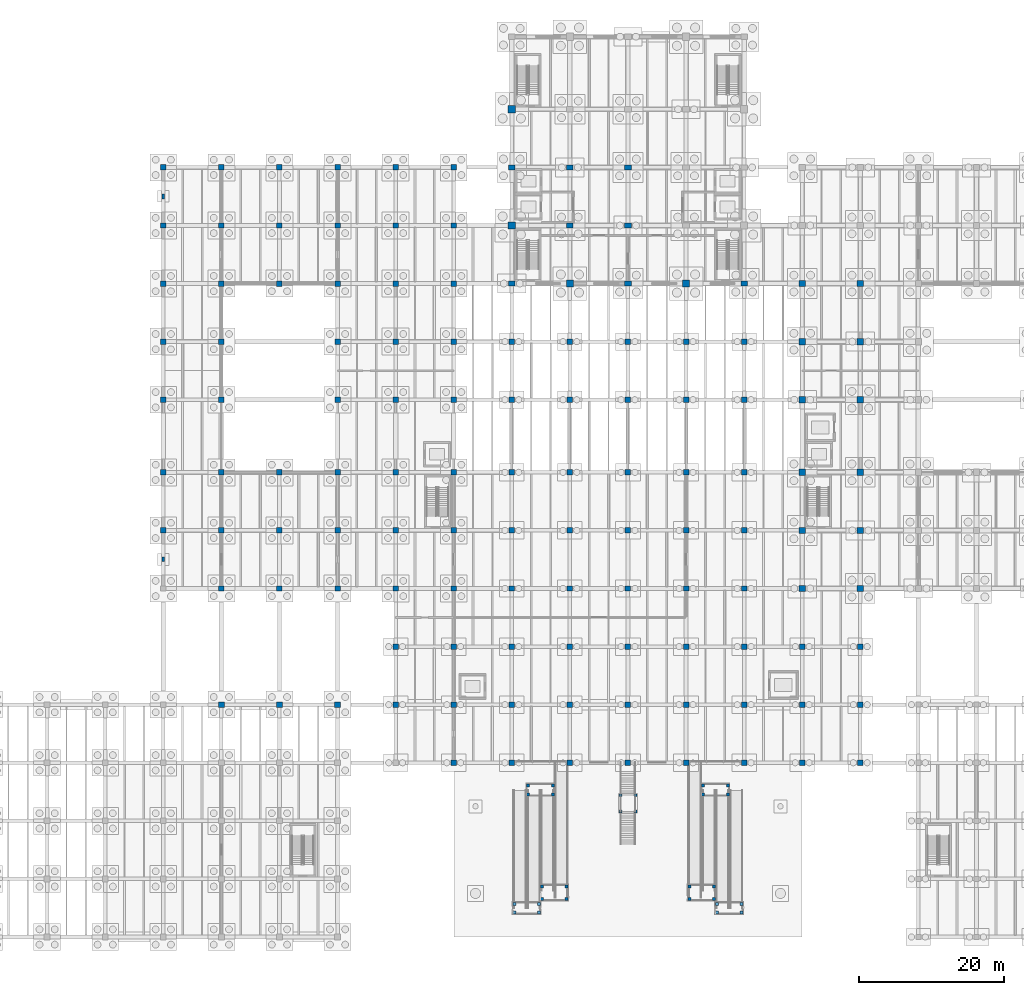
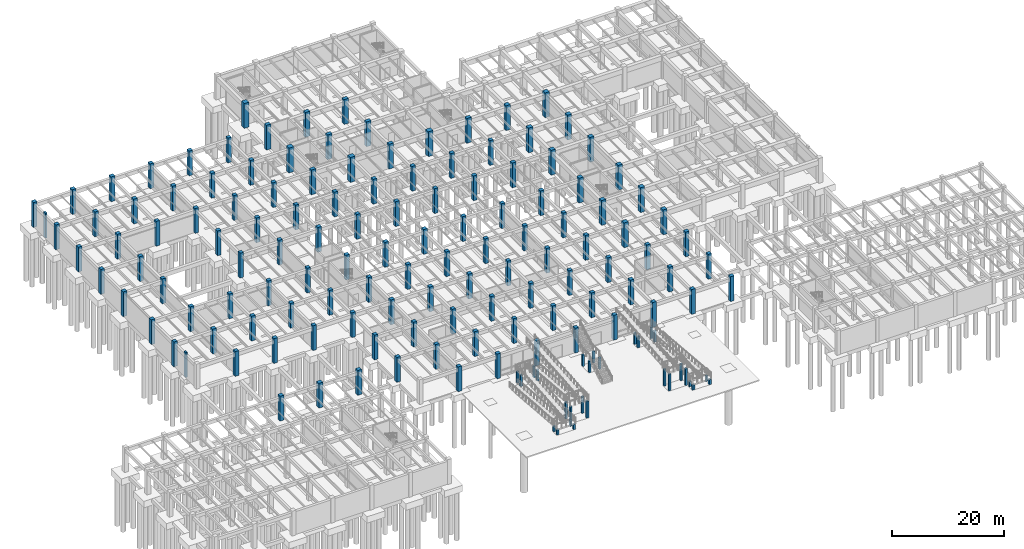
# One storey, part 10 of 44: 153 columns.
"""IFC4 building model written with IfcOpenShell, lengths in metres."""

from ifc_helpers import new_model, si_unit, direction, frame, origin, origin_2d, place, context, subcontext, project, spatial, rectangle, extrude, material, material_profile, profile_set, type_object, element, save


model = new_model("IFC4")

# Units and contexts
model_context = context("Model", 3, precision=1e-05, world=origin(), true_north=direction((0.0, 1.0)))
body_context = subcontext(model_context, "Body", "Model", "MODEL_VIEW")
ifc_project = project(units=[si_unit("LENGTHUNIT", "METRE"), si_unit("AREAUNIT", "SQUARE_METRE"), si_unit("VOLUMEUNIT", "CUBIC_METRE"), si_unit("PLANEANGLEUNIT", "RADIAN"), si_unit("MASSUNIT", "GRAM", prefix="KILO")], contexts=[model_context])

# Site, building, storey
site_placement = place(None, origin())
site = spatial("IfcSite", under=ifc_project, at=site_placement, CompositionType="ELEMENT")
building_placement = place(site_placement, origin())
building = spatial("IfcBuilding", under=site, at=building_placement, Name="Pecanmere Concourse Central Library", CompositionType="ELEMENT")
storey_placement = place(building_placement, frame((0.0, 0.0, -5.39990234375)))
storey = spatial("IfcBuildingStorey", under=building, at=storey_placement, Name="B1", CompositionType="ELEMENT", Elevation=-5.39990234375)

# Columns
ifc_material_1 = material(Name="Concrete C40/50", Category="concrete")
ifc_material_profile_1 = material_profile(ifc_material_1, rectangle(XDim=0.39990234375, YDim=0.39990234375, at=origin_2d()), Name="RC 400x400")
ifc_profile_set_1 = profile_set([ifc_material_profile_1], Name="Concrete C40/50")
column_type_1 = type_object("IfcColumnType", Name="COL_RC_400x400", PredefinedType="COLUMN", material=ifc_profile_set_1)
for number, where, z_axis, x_axis, name in (
    (1, (89.050048828125, 17.280029296875, 0.0), (0.0, 0.0, 1.0), (1.0, 0.0, 0.0), "ST-M1 Landing Column 1"),
    (2, (89.050048828125, 19.530029296875, 0.0), (0.0, 0.0, 1.0), (1.0, 0.0, 0.0), "ST-M1 Landing Column 2"),
    (3, (86.949951171875, 19.530029296875, 0.0), (0.0, 0.0, 1.0), (1.0, 0.0, 0.0), "ST-M1 Landing Column 3"),
    (4, (86.949951171875, 17.280029296875, 0.0), (0.0, 0.0, 1.0), (1.0, 0.0, 0.0), "ST-M1 Landing Column 4"),
):
    element("IfcColumn", number, at=place(storey_placement, frame(where, z_axis=z_axis, x_axis=x_axis)), inside=storey, type_object=column_type_1, Name=name, PredefinedType="COLUMN", context=body_context, shape_type="SweptSolid", body=[
        extrude(rectangle(XDim=0.39990234375, YDim=0.39990234375, at=origin_2d()), origin(), (0.0, 0.0, 1.0), 2.4599609375),
    ])
for number, where, z_axis, x_axis, name in (
    (5, (72.35009765625, 3.35009765625, 0.0), (0.0, 0.0, 1.0), (1.0, 0.0, 0.0), "RMP_LND_WS1 Support Column 1"),
    (6, (72.35009765625, 4.550048828125, 0.0), (0.0, 0.0, 1.0), (1.0, 0.0, 0.0), "RMP_LND_WS1 Support Column 2"),
    (7, (75.75, 3.35009765625, 0.0), (0.0, 0.0, 1.0), (1.0, 0.0, 0.0), "RMP_LND_WS1 Support Column 3"),
    (8, (75.75, 4.550048828125, 0.0), (0.0, 0.0, 1.0), (1.0, 0.0, 0.0), "RMP_LND_WS1 Support Column 4"),
):
    element("IfcColumn", number, at=place(storey_placement, frame(where, z_axis=z_axis, x_axis=x_axis)), inside=storey, type_object=column_type_1, Name=name, PredefinedType="COLUMN", context=body_context, shape_type="SweptSolid", body=[
        extrude(rectangle(XDim=0.39990234375, YDim=0.39990234375, at=origin_2d()), origin(), (0.0, 0.0, 1.0), 1.10986328125),
    ])
for number, where, z_axis, x_axis, name in (
    (9, (74.25, 19.64990234375, 0.0), (0.0, 0.0, 1.0), (1.0, 0.0, 0.0), "RMP_LND_WN1 Support Column 1"),
    (10, (74.25, 20.85009765625, 0.0), (0.0, 0.0, 1.0), (1.0, 0.0, 0.0), "RMP_LND_WN1 Support Column 2"),
    (11, (77.64990234375, 19.64990234375, 0.0), (0.0, 0.0, 1.0), (1.0, 0.0, 0.0), "RMP_LND_WN1 Support Column 3"),
    (12, (77.64990234375, 20.85009765625, 0.0), (0.0, 0.0, 1.0), (1.0, 0.0, 0.0), "RMP_LND_WN1 Support Column 4"),
):
    element("IfcColumn", number, at=place(storey_placement, frame(where, z_axis=z_axis, x_axis=x_axis)), inside=storey, type_object=column_type_1, Name=name, PredefinedType="COLUMN", context=body_context, shape_type="SweptSolid", body=[
        extrude(rectangle(XDim=0.39990234375, YDim=0.39990234375, at=origin_2d()), origin(), (0.0, 0.0, 1.0), 2.4599609375),
    ])
for number, where, z_axis, x_axis, name in (
    (13, (76.14990234375, 5.25, 0.0), (0.0, 0.0, 1.0), (1.0, 0.0, 0.0), "RMP_LND_WS2 Support Column 1"),
    (14, (76.14990234375, 6.949951171875, 0.0), (0.0, 0.0, 1.0), (1.0, 0.0, 0.0), "RMP_LND_WS2 Support Column 2"),
    (15, (79.550048828125, 5.25, 0.0), (0.0, 0.0, 1.0), (1.0, 0.0, 0.0), "RMP_LND_WS2 Support Column 3"),
    (16, (79.550048828125, 6.949951171875, 0.0), (0.0, 0.0, 1.0), (1.0, 0.0, 0.0), "RMP_LND_WS2 Support Column 4"),
):
    element("IfcColumn", number, at=place(storey_placement, frame(where, z_axis=z_axis, x_axis=x_axis)), inside=storey, type_object=column_type_1, Name=name, PredefinedType="COLUMN", context=body_context, shape_type="SweptSolid", body=[
        extrude(rectangle(XDim=0.39990234375, YDim=0.39990234375, at=origin_2d()), origin(), (0.0, 0.0, 1.0), 3.60986328125),
    ])
for number, where, z_axis, x_axis, name in (
    (17, (100.25, 3.35009765625, 0.0), (0.0, 0.0, 1.0), (1.0, 0.0, 0.0), "RMP_LND_ES1 Support Column 1"),
    (18, (100.25, 4.550048828125, 0.0), (0.0, 0.0, 1.0), (1.0, 0.0, 0.0), "RMP_LND_ES1 Support Column 2"),
    (19, (103.64990234375, 3.35009765625, 0.0), (0.0, 0.0, 1.0), (1.0, 0.0, 0.0), "RMP_LND_ES1 Support Column 3"),
    (20, (103.64990234375, 4.550048828125, 0.0), (0.0, 0.0, 1.0), (1.0, 0.0, 0.0), "RMP_LND_ES1 Support Column 4"),
):
    element("IfcColumn", number, at=place(storey_placement, frame(where, z_axis=z_axis, x_axis=x_axis)), inside=storey, type_object=column_type_1, Name=name, PredefinedType="COLUMN", context=body_context, shape_type="SweptSolid", body=[
        extrude(rectangle(XDim=0.39990234375, YDim=0.39990234375, at=origin_2d()), origin(), (0.0, 0.0, 1.0), 1.10986328125),
    ])
for number, where, z_axis, x_axis, name in (
    (21, (98.35009765625, 19.64990234375, 0.0), (0.0, 0.0, 1.0), (1.0, 0.0, 0.0), "RMP_LND_EN1 Support Column 1"),
    (22, (98.35009765625, 20.85009765625, 0.0), (0.0, 0.0, 1.0), (1.0, 0.0, 0.0), "RMP_LND_EN1 Support Column 2"),
    (23, (101.75, 19.64990234375, 0.0), (0.0, 0.0, 1.0), (1.0, 0.0, 0.0), "RMP_LND_EN1 Support Column 3"),
    (24, (101.75, 20.85009765625, 0.0), (0.0, 0.0, 1.0), (1.0, 0.0, 0.0), "RMP_LND_EN1 Support Column 4"),
):
    element("IfcColumn", number, at=place(storey_placement, frame(where, z_axis=z_axis, x_axis=x_axis)), inside=storey, type_object=column_type_1, Name=name, PredefinedType="COLUMN", context=body_context, shape_type="SweptSolid", body=[
        extrude(rectangle(XDim=0.39990234375, YDim=0.39990234375, at=origin_2d()), origin(), (0.0, 0.0, 1.0), 2.4599609375),
    ])
for number, where, z_axis, x_axis, name in (
    (25, (96.449951171875, 5.25, 0.0), (0.0, 0.0, 1.0), (1.0, 0.0, 0.0), "RMP_LND_ES2 Support Column 1"),
    (26, (96.449951171875, 6.949951171875, 0.0), (0.0, 0.0, 1.0), (1.0, 0.0, 0.0), "RMP_LND_ES2 Support Column 2"),
    (27, (99.85009765625, 5.25, 0.0), (0.0, 0.0, 1.0), (1.0, 0.0, 0.0), "RMP_LND_ES2 Support Column 3"),
    (28, (99.85009765625, 6.949951171875, 0.0), (0.0, 0.0, 1.0), (1.0, 0.0, 0.0), "RMP_LND_ES2 Support Column 4"),
):
    element("IfcColumn", number, at=place(storey_placement, frame(where, z_axis=z_axis, x_axis=x_axis)), inside=storey, type_object=column_type_1, Name=name, PredefinedType="COLUMN", context=body_context, shape_type="SweptSolid", body=[
        extrude(rectangle(XDim=0.39990234375, YDim=0.39990234375, at=origin_2d()), origin(), (0.0, 0.0, 1.0), 3.60986328125),
    ])
ifc_material_2 = material(Name="Concrete C40/50", Category="concrete")
ifc_material_profile_2 = material_profile(ifc_material_2, rectangle(XDim=0.75, YDim=0.75, at=origin_2d()), Name="RC 750x750")
ifc_profile_set_2 = profile_set([ifc_material_profile_2], Name="Concrete C40/50")
column_type_2 = type_object("IfcColumnType", Name="COL_RC_750x750", PredefinedType="COLUMN", material=ifc_profile_set_2)
for number, where, z_axis, x_axis, name in (
    (29, (24.0, 56.0, 0.0), (0.0, 0.0, 1.0), (1.0, 0.0, 0.0), "Column C-05 B1-022"),
    (30, (24.0, 64.0, 0.0), (0.0, 0.0, 1.0), (1.0, 0.0, 0.0), "Column C-05 B1-023"),
    (31, (24.0, 74.0, 0.0), (0.0, 0.0, 1.0), (1.0, 0.0, 0.0), "Column C-05 B1-024"),
    (32, (24.0, 82.0, 0.0), (0.0, 0.0, 1.0), (1.0, 0.0, 0.0), "Column C-05 B1-025"),
    (33, (24.0, 90.0, 0.0), (0.0, 0.0, 1.0), (1.0, 0.0, 0.0), "Column C-05 B1-026"),
    (34, (24.0, 98.0, 0.0), (0.0, 0.0, 1.0), (1.0, 0.0, 0.0), "Column C-05 B1-027"),
    (35, (24.0, 106.0, 0.0), (0.0, 0.0, 1.0), (1.0, 0.0, 0.0), "Column C-05 B1-028"),
    (36, (32.0, 48.0, 0.0), (0.0, 0.0, 1.0), (1.0, 0.0, 0.0), "Column C-05 B1-034"),
    (37, (32.0, 56.0, 0.0), (0.0, 0.0, 1.0), (1.0, 0.0, 0.0), "Column C-05 B1-035"),
    (38, (32.0, 64.0, 0.0), (0.0, 0.0, 1.0), (1.0, 0.0, 0.0), "Column C-05 B1-036"),
    (39, (32.0, 74.0, 0.0), (0.0, 0.0, 1.0), (1.0, 0.0, 0.0), "Column C-05 B1-037"),
    (40, (32.0, 82.0, 0.0), (0.0, 0.0, 1.0), (1.0, 0.0, 0.0), "Column C-05 B1-038"),
    (41, (32.0, 90.0, 0.0), (0.0, 0.0, 1.0), (1.0, 0.0, 0.0), "Column C-05 B1-039"),
    (42, (32.0, 98.0, 0.0), (0.0, 0.0, 1.0), (1.0, 0.0, 0.0), "Column C-05 B1-040"),
    (43, (32.0, 106.0, 0.0), (0.0, 0.0, 1.0), (1.0, 0.0, 0.0), "Column C-05 B1-041"),
    (44, (40.0, 48.0, 0.0), (0.0, 0.0, 1.0), (1.0, 0.0, 0.0), "Column C-05 B1-047"),
    (45, (40.0, 56.0, 0.0), (0.0, 0.0, 1.0), (1.0, 0.0, 0.0), "Column C-05 B1-048"),
    (46, (40.0, 64.0, 0.0), (0.0, 0.0, 1.0), (1.0, 0.0, 0.0), "Column C-05 B1-049"),
    (47, (40.0, 90.0, 0.0), (0.0, 0.0, 1.0), (1.0, 0.0, 0.0), "Column C-05 B1-050"),
    (48, (40.0, 98.0, 0.0), (0.0, 0.0, 1.0), (1.0, 0.0, 0.0), "Column C-05 B1-051"),
    (49, (40.0, 106.0, 0.0), (0.0, 0.0, 1.0), (1.0, 0.0, 0.0), "Column C-05 B1-052"),
    (50, (48.0, 48.0, 0.0), (0.0, 0.0, 1.0), (1.0, 0.0, 0.0), "Column C-05 B1-058"),
    (51, (48.0, 56.0, 0.0), (0.0, 0.0, 1.0), (1.0, 0.0, 0.0), "Column C-05 B1-059"),
    (52, (48.0, 64.0, 0.0), (0.0, 0.0, 1.0), (1.0, 0.0, 0.0), "Column C-05 B1-060"),
    (53, (48.0, 74.0, 0.0), (0.0, 0.0, 1.0), (1.0, 0.0, 0.0), "Column C-05 B1-061"),
    (54, (48.0, 82.0, 0.0), (0.0, 0.0, 1.0), (1.0, 0.0, 0.0), "Column C-05 B1-062"),
    (55, (48.0, 90.0, 0.0), (0.0, 0.0, 1.0), (1.0, 0.0, 0.0), "Column C-05 B1-063"),
    (56, (48.0, 98.0, 0.0), (0.0, 0.0, 1.0), (1.0, 0.0, 0.0), "Column C-05 B1-064"),
    (57, (48.0, 106.0, 0.0), (0.0, 0.0, 1.0), (1.0, 0.0, 0.0), "Column C-05 B1-065"),
    (58, (56.0, 32.0, 0.0), (0.0, 0.0, 1.0), (1.0, 0.0, 0.0), "Column C-05 B1-067"),
    (59, (56.0, 40.0, 0.0), (0.0, 0.0, 1.0), (1.0, 0.0, 0.0), "Column C-05 B1-068"),
    (60, (56.0, 48.0, 0.0), (0.0, 0.0, 1.0), (1.0, 0.0, 0.0), "Column C-05 B1-069"),
    (61, (56.0, 56.0, 0.0), (0.0, 0.0, 1.0), (1.0, 0.0, 0.0), "Column C-05 B1-070"),
    (62, (56.0, 64.0, 0.0), (0.0, 0.0, 1.0), (1.0, 0.0, 0.0), "Column C-05 B1-071"),
    (63, (56.0, 74.0, 0.0), (0.0, 0.0, 1.0), (1.0, 0.0, 0.0), "Column C-05 B1-072"),
    (64, (56.0, 82.0, 0.0), (0.0, 0.0, 1.0), (1.0, 0.0, 0.0), "Column C-05 B1-073"),
    (65, (56.0, 90.0, 0.0), (0.0, 0.0, 1.0), (1.0, 0.0, 0.0), "Column C-05 B1-074"),
    (66, (56.0, 98.0, 0.0), (0.0, 0.0, 1.0), (1.0, 0.0, 0.0), "Column C-05 B1-075"),
    (67, (56.0, 106.0, 0.0), (0.0, 0.0, 1.0), (1.0, 0.0, 0.0), "Column C-05 B1-076"),
    (68, (64.0, 24.0, 0.0), (0.0, 0.0, 1.0), (1.0, 0.0, 0.0), "Column C-05 B1-077"),
    (69, (64.0, 32.0, 0.0), (0.0, 0.0, 1.0), (1.0, 0.0, 0.0), "Column C-05 B1-078"),
    (70, (64.0, 40.0, 0.0), (0.0, 0.0, 1.0), (1.0, 0.0, 0.0), "Column C-05 B1-079"),
    (71, (64.0, 48.0, 0.0), (0.0, 0.0, 1.0), (1.0, 0.0, 0.0), "Column C-05 B1-080"),
    (72, (64.0, 56.0, 0.0), (0.0, 0.0, 1.0), (1.0, 0.0, 0.0), "Column C-05 B1-081"),
    (73, (64.0, 64.0, 0.0), (0.0, 0.0, 1.0), (1.0, 0.0, 0.0), "Column C-05 B1-082"),
    (74, (64.0, 74.0, 0.0), (0.0, 0.0, 1.0), (1.0, 0.0, 0.0), "Column C-05 B1-083"),
    (75, (64.0, 82.0, 0.0), (0.0, 0.0, 1.0), (1.0, 0.0, 0.0), "Column C-05 B1-084"),
    (76, (64.0, 90.0, 0.0), (0.0, 0.0, 1.0), (1.0, 0.0, 0.0), "Column C-05 B1-085"),
    (77, (64.0, 98.0, 0.0), (0.0, 0.0, 1.0), (1.0, 0.0, 0.0), "Column C-05 B1-086"),
    (78, (64.0, 106.0, 0.0), (0.0, 0.0, 1.0), (1.0, 0.0, 0.0), "Column C-05 B1-087"),
    (79, (72.0, 24.0, 0.0), (0.0, 0.0, 1.0), (1.0, 0.0, 0.0), "Column C-05 B1-088"),
    (80, (72.0, 32.0, 0.0), (0.0, 0.0, 1.0), (1.0, 0.0, 0.0), "Column C-05 B1-089"),
    (81, (72.0, 40.0, 0.0), (0.0, 0.0, 1.0), (1.0, 0.0, 0.0), "Column C-05 B1-090"),
    (82, (72.0, 48.0, 0.0), (0.0, 0.0, 1.0), (1.0, 0.0, 0.0), "Column C-05 B1-091"),
    (83, (72.0, 56.0, 0.0), (0.0, 0.0, 1.0), (1.0, 0.0, 0.0), "Column C-05 B1-092"),
    (84, (72.0, 64.0, 0.0), (0.0, 0.0, 1.0), (1.0, 0.0, 0.0), "Column C-05 B1-093"),
    (85, (72.0, 74.0, 0.0), (0.0, 0.0, 1.0), (1.0, 0.0, 0.0), "Column C-05 B1-094"),
    (86, (72.0, 82.0, 0.0), (0.0, 0.0, 1.0), (1.0, 0.0, 0.0), "Column C-05 B1-095"),
    (87, (80.0, 24.0, 0.0), (0.0, 0.0, 1.0), (1.0, 0.0, 0.0), "Column C-05 B1-101"),
    (88, (80.0, 32.0, 0.0), (0.0, 0.0, 1.0), (1.0, 0.0, 0.0), "Column C-05 B1-102"),
    (89, (80.0, 40.0, 0.0), (0.0, 0.0, 1.0), (1.0, 0.0, 0.0), "Column C-05 B1-103"),
    (90, (80.0, 48.0, 0.0), (0.0, 0.0, 1.0), (1.0, 0.0, 0.0), "Column C-05 B1-104"),
    (91, (80.0, 56.0, 0.0), (0.0, 0.0, 1.0), (1.0, 0.0, 0.0), "Column C-05 B1-105"),
    (92, (80.0, 64.0, 0.0), (0.0, 0.0, 1.0), (1.0, 0.0, 0.0), "Column C-05 B1-106"),
    (93, (80.0, 74.0, 0.0), (0.0, 0.0, 1.0), (1.0, 0.0, 0.0), "Column C-05 B1-107"),
    (94, (80.0, 82.0, 0.0), (0.0, 0.0, 1.0), (1.0, 0.0, 0.0), "Column C-05 B1-108"),
    (95, (88.0, 24.0, 0.0), (0.0, 0.0, 1.0), (1.0, 0.0, 0.0), "Column C-05 B1-114"),
    (96, (88.0, 32.0, 0.0), (0.0, 0.0, 1.0), (1.0, 0.0, 0.0), "Column C-05 B1-115"),
    (97, (88.0, 40.0, 0.0), (0.0, 0.0, 1.0), (1.0, 0.0, 0.0), "Column C-05 B1-116"),
    (98, (88.0, 48.0, 0.0), (0.0, 0.0, 1.0), (1.0, 0.0, 0.0), "Column C-05 B1-117"),
    (99, (88.0, 56.0, 0.0), (0.0, 0.0, 1.0), (1.0, 0.0, 0.0), "Column C-05 B1-118"),
    (100, (88.0, 64.0, 0.0), (0.0, 0.0, 1.0), (1.0, 0.0, 0.0), "Column C-05 B1-119"),
    (101, (88.0, 74.0, 0.0), (0.0, 0.0, 1.0), (1.0, 0.0, 0.0), "Column C-05 B1-120"),
    (102, (88.0, 82.0, 0.0), (0.0, 0.0, 1.0), (1.0, 0.0, 0.0), "Column C-05 B1-121"),
    (103, (96.0, 24.0, 0.0), (0.0, 0.0, 1.0), (1.0, 0.0, 0.0), "Column C-05 B1-127"),
    (104, (96.0, 32.0, 0.0), (0.0, 0.0, 1.0), (1.0, 0.0, 0.0), "Column C-05 B1-128"),
    (105, (96.0, 40.0, 0.0), (0.0, 0.0, 1.0), (1.0, 0.0, 0.0), "Column C-05 B1-129"),
    (106, (96.0, 48.0, 0.0), (0.0, 0.0, 1.0), (1.0, 0.0, 0.0), "Column C-05 B1-130"),
    (107, (96.0, 56.0, 0.0), (0.0, 0.0, 1.0), (1.0, 0.0, 0.0), "Column C-05 B1-131"),
    (108, (96.0, 64.0, 0.0), (0.0, 0.0, 1.0), (1.0, 0.0, 0.0), "Column C-05 B1-132"),
    (109, (96.0, 74.0, 0.0), (0.0, 0.0, 1.0), (1.0, 0.0, 0.0), "Column C-05 B1-133"),
    (110, (96.0, 82.0, 0.0), (0.0, 0.0, 1.0), (1.0, 0.0, 0.0), "Column C-05 B1-134"),
    (111, (104.0, 24.0, 0.0), (0.0, 0.0, 1.0), (1.0, 0.0, 0.0), "Column C-05 B1-140"),
    (112, (104.0, 32.0, 0.0), (0.0, 0.0, 1.0), (1.0, 0.0, 0.0), "Column C-05 B1-141"),
    (113, (104.0, 40.0, 0.0), (0.0, 0.0, 1.0), (1.0, 0.0, 0.0), "Column C-05 B1-142"),
    (114, (104.0, 48.0, 0.0), (0.0, 0.0, 1.0), (1.0, 0.0, 0.0), "Column C-05 B1-143"),
    (115, (104.0, 56.0, 0.0), (0.0, 0.0, 1.0), (1.0, 0.0, 0.0), "Column C-05 B1-144"),
    (116, (104.0, 64.0, 0.0), (0.0, 0.0, 1.0), (1.0, 0.0, 0.0), "Column C-05 B1-145"),
    (117, (104.0, 74.0, 0.0), (0.0, 0.0, 1.0), (1.0, 0.0, 0.0), "Column C-05 B1-146"),
    (118, (104.0, 82.0, 0.0), (0.0, 0.0, 1.0), (1.0, 0.0, 0.0), "Column C-05 B1-147"),
    (119, (112.0, 24.0, 0.0), (0.0, 0.0, 1.0), (1.0, 0.0, 0.0), "Column C-05 B1-153"),
    (120, (112.0, 32.0, 0.0), (0.0, 0.0, 1.0), (1.0, 0.0, 0.0), "Column C-05 B1-154"),
    (121, (112.0, 40.0, 0.0), (0.0, 0.0, 1.0), (1.0, 0.0, 0.0), "Column C-05 B1-155"),
    (122, (120.0, 24.0, 0.0), (0.0, 0.0, 1.0), (1.0, 0.0, 0.0), "Column C-05 B1-164"),
    (123, (120.0, 32.0, 0.0), (0.0, 0.0, 1.0), (1.0, 0.0, 0.0), "Column C-05 B1-165"),
    (124, (120.0, 40.0, 0.0), (0.0, 0.0, 1.0), (1.0, 0.0, 0.0), "Column C-05 B1-166"),
):
    element("IfcColumn", number, at=place(storey_placement, frame(where, z_axis=z_axis, x_axis=x_axis)), inside=storey, type_object=column_type_2, Name=name, PredefinedType="COLUMN", context=body_context, shape_type="SweptSolid", body=[
        extrude(rectangle(XDim=0.75, YDim=0.75, at=origin_2d()), origin(), (0.0, 0.0, 1.0), 5.39990234375),
    ])
ifc_material_3 = material(Name="Concrete C40/50", Category="concrete")
ifc_material_profile_3 = material_profile(ifc_material_3, rectangle(XDim=0.800048828125, YDim=0.800048828125, at=origin_2d()), Name="RC 800x800")
ifc_profile_set_3 = profile_set([ifc_material_profile_3], Name="Concrete C40/50")
column_type_3 = type_object("IfcColumnType", Name="COL_RC_800x800", PredefinedType="COLUMN", material=ifc_profile_set_3)
for number, where, z_axis, x_axis, name in (
    (125, (32.0, 32.0, 0.0), (0.0, 0.0, 1.0), (1.0, 0.0, 0.0), "Column C-04 B1-033"),
    (126, (40.0, 32.0, 0.0), (0.0, 0.0, 1.0), (1.0, 0.0, 0.0), "Column C-04 B1-046"),
    (127, (48.0, 32.0, 0.0), (0.0, 0.0, 1.0), (1.0, 0.0, 0.0), "Column C-04 B1-057"),
):
    element("IfcColumn", number, at=place(storey_placement, frame(where, z_axis=z_axis, x_axis=x_axis)), inside=storey, type_object=column_type_3, Name=name, PredefinedType="COLUMN", context=body_context, shape_type="SweptSolid", body=[
        extrude(rectangle(XDim=0.800048828125, YDim=0.800048828125, at=origin_2d()), origin(), (0.0, 0.0, 1.0), 5.39990234375),
    ])
ifc_material_4 = material(Name="Concrete C40/50", Category="concrete")
ifc_material_profile_4 = material_profile(ifc_material_4, rectangle(XDim=0.860107421875, YDim=0.860107421875, at=origin_2d()), Name="RC 860x860")
ifc_profile_set_4 = profile_set([ifc_material_profile_4], Name="Concrete C40/50")
column_type_4 = type_object("IfcColumnType", Name="COL_RC_860x860", PredefinedType="COLUMN", material=ifc_profile_set_4)
for number, where, z_axis, x_axis, name in (
    (128, (112.0, 48.0, 0.0), (0.0, 0.0, 1.0), (1.0, 0.0, 0.0), "Column C-03 B1-156"),
    (129, (112.0, 56.0, 0.0), (0.0, 0.0, 1.0), (1.0, 0.0, 0.0), "Column C-03 B1-157"),
    (130, (112.0, 64.0, 0.0), (0.0, 0.0, 1.0), (1.0, 0.0, 0.0), "Column C-03 B1-158"),
    (131, (112.0, 74.0, 0.0), (0.0, 0.0, 1.0), (1.0, 0.0, 0.0), "Column C-03 B1-159"),
    (132, (112.0, 82.0, 0.0), (0.0, 0.0, 1.0), (1.0, 0.0, 0.0), "Column C-03 B1-160"),
    (133, (112.0, 90.0, 0.0), (0.0, 0.0, 1.0), (1.0, 0.0, 0.0), "Column C-03 B1-161"),
    (134, (120.0, 48.0, 0.0), (0.0, 0.0, 1.0), (1.0, 0.0, 0.0), "Column C-03 B1-167"),
    (135, (120.0, 56.0, 0.0), (0.0, 0.0, 1.0), (1.0, 0.0, 0.0), "Column C-03 B1-168"),
    (136, (120.0, 64.0, 0.0), (0.0, 0.0, 1.0), (1.0, 0.0, 0.0), "Column C-03 B1-169"),
    (137, (120.0, 74.0, 0.0), (0.0, 0.0, 1.0), (1.0, 0.0, 0.0), "Column C-03 B1-170"),
    (138, (120.0, 82.0, 0.0), (0.0, 0.0, 1.0), (1.0, 0.0, 0.0), "Column C-03 B1-171"),
    (139, (120.0, 90.0, 0.0), (0.0, 0.0, 1.0), (1.0, 0.0, 0.0), "Column C-03 B1-172"),
):
    element("IfcColumn", number, at=place(storey_placement, frame(where, z_axis=z_axis, x_axis=x_axis)), inside=storey, type_object=column_type_4, Name=name, PredefinedType="COLUMN", context=body_context, shape_type="SweptSolid", body=[
        extrude(rectangle(XDim=0.860107421875, YDim=0.860107421875, at=origin_2d()), origin(), (0.0, 0.0, 1.0), 5.39990234375),
    ])
ifc_material_5 = material(Name="Concrete C40/50", Category="concrete")
ifc_material_profile_5 = material_profile(ifc_material_5, rectangle(XDim=0.919921875, YDim=0.719970703125, at=origin_2d()), Name="RC 920x720")
ifc_profile_set_5 = profile_set([ifc_material_profile_5], Name="Concrete C40/50")
column_type_5 = type_object("IfcColumnType", Name="COL_RC_920x720", PredefinedType="COLUMN", material=ifc_profile_set_5)
for number, where, z_axis, x_axis, name in (
    (140, (72.0, 90.0, 0.0), (0.0, 0.0, 1.0), (1.0, 0.0, 0.0), "Column C-13 B1-096"),
    (141, (72.0, 106.0, 0.0), (0.0, 0.0, 1.0), (1.0, 0.0, 0.0), "Column C-13 B1-098"),
    (142, (80.0, 98.0, 0.0), (0.0, 0.0, 1.0), (1.0, 0.0, 0.0), "Column C-13 B1-110"),
    (143, (80.0, 106.0, 0.0), (0.0, 0.0, 1.0), (1.0, 0.0, 0.0), "Column C-13 B1-111"),
    (144, (88.0, 90.0, 0.0), (0.0, 0.0, 1.0), (1.0, 0.0, 0.0), "Column C-13 B1-122"),
    (145, (88.0, 98.0, 0.0), (0.0, 0.0, 1.0), (1.0, 0.0, 0.0), "Column C-13 B1-123"),
    (146, (88.0, 106.0, 0.0), (0.0, 0.0, 1.0), (1.0, 0.0, 0.0), "Column C-13 B1-124"),
    (147, (104.0, 90.0, 0.0), (0.0, 0.0, 1.0), (1.0, 0.0, 0.0), "Column C-13 B1-148"),
):
    element("IfcColumn", number, at=place(storey_placement, frame(where, z_axis=z_axis, x_axis=x_axis)), inside=storey, type_object=column_type_5, Name=name, PredefinedType="COLUMN", context=body_context, shape_type="SweptSolid", body=[
        extrude(rectangle(XDim=0.919921875, YDim=0.719970703125, at=origin_2d()), origin(), (0.0, 0.0, 1.0), 5.39990234375),
    ])
ifc_material_6 = material(Name="Concrete C40/50", Category="concrete")
ifc_material_profile_6 = material_profile(ifc_material_6, rectangle(XDim=0.97998046875, YDim=0.97998046875, at=origin_2d()), Name="RC 980x980")
ifc_profile_set_6 = profile_set([ifc_material_profile_6], Name="Concrete C40/50")
column_type_6 = type_object("IfcColumnType", Name="COL_RC_980x980", PredefinedType="COLUMN", material=ifc_profile_set_6)
for number, where, z_axis, x_axis, name in (
    (148, (72.0, 98.0, 0.0), (0.0, 0.0, 1.0), (1.0, 0.0, 0.0), "Column C-01 B1-097"),
    (149, (72.0, 114.0, 0.0), (0.0, 0.0, 1.0), (1.0, 0.0, 0.0), "Column C-01 B1-099"),
    (150, (80.0, 90.0, 0.0), (0.0, 0.0, 1.0), (1.0, 0.0, 0.0), "Column C-01 B1-109"),
    (151, (96.0, 90.0, 0.0), (0.0, 0.0, 1.0), (1.0, 0.0, 0.0), "Column C-01 B1-135"),
):
    element("IfcColumn", number, at=place(storey_placement, frame(where, z_axis=z_axis, x_axis=x_axis)), inside=storey, type_object=column_type_6, Name=name, PredefinedType="COLUMN", context=body_context, shape_type="SweptSolid", body=[
        extrude(rectangle(XDim=0.97998046875, YDim=0.97998046875, at=origin_2d()), origin(), (0.0, 0.0, 1.0), 5.39990234375),
    ])
ifc_material_7 = material(Name="Precast concrete C40/50", Category="concrete")
ifc_material_profile_7 = material_profile(ifc_material_7, rectangle(XDim=0.6201171875, YDim=0.31005859375, at=origin_2d()), Name="RC 620x310")
ifc_profile_set_7 = profile_set([ifc_material_profile_7], Name="Precast concrete C40/50")
column_type_7 = type_object("IfcColumnType", Name="PIL_620x310", PredefinedType="PILASTER", material=ifc_profile_set_7)
column_1_placement = place(storey_placement, frame((24.0, 52.0, 0.0), z_axis=(0.0, 0.0, 1.0), x_axis=(0.0, 1.0, 0.0)))
element("IfcColumn", 152, at=column_1_placement, inside=storey, type_object=column_type_7, Name="Classical Limestone Pilaster B1-01", PredefinedType="PILASTER", context=body_context, shape_type="SweptSolid", body=[
    extrude(rectangle(XDim=0.6201171875, YDim=0.31005859375, at=origin_2d()), origin(), (0.0, 0.0, 1.0), 5.39990234375),
])
ifc_material_8 = material(Name="Precast concrete C40/50", Category="concrete")
ifc_material_profile_8 = material_profile(ifc_material_8, rectangle(XDim=0.679931640625, YDim=0.340087890625, at=origin_2d()), Name="RC 680x340")
ifc_profile_set_8 = profile_set([ifc_material_profile_8], Name="Precast concrete C40/50")
column_type_8 = type_object("IfcColumnType", Name="PIL_680x340", PredefinedType="PILASTER", material=ifc_profile_set_8)
column_2_placement = place(storey_placement, frame((24.0, 102.0, 0.0), z_axis=(0.0, 0.0, 1.0), x_axis=(0.0, 1.0, 0.0)))
element("IfcColumn", 153, at=column_2_placement, inside=storey, type_object=column_type_8, Name="Classical Limestone Pilaster B1-02", PredefinedType="PILASTER", context=body_context, shape_type="SweptSolid", body=[
    extrude(rectangle(XDim=0.679931640625, YDim=0.340087890625, at=origin_2d()), origin(), (0.0, 0.0, 1.0), 5.39990234375),
])

save(model, "model.ifc")
